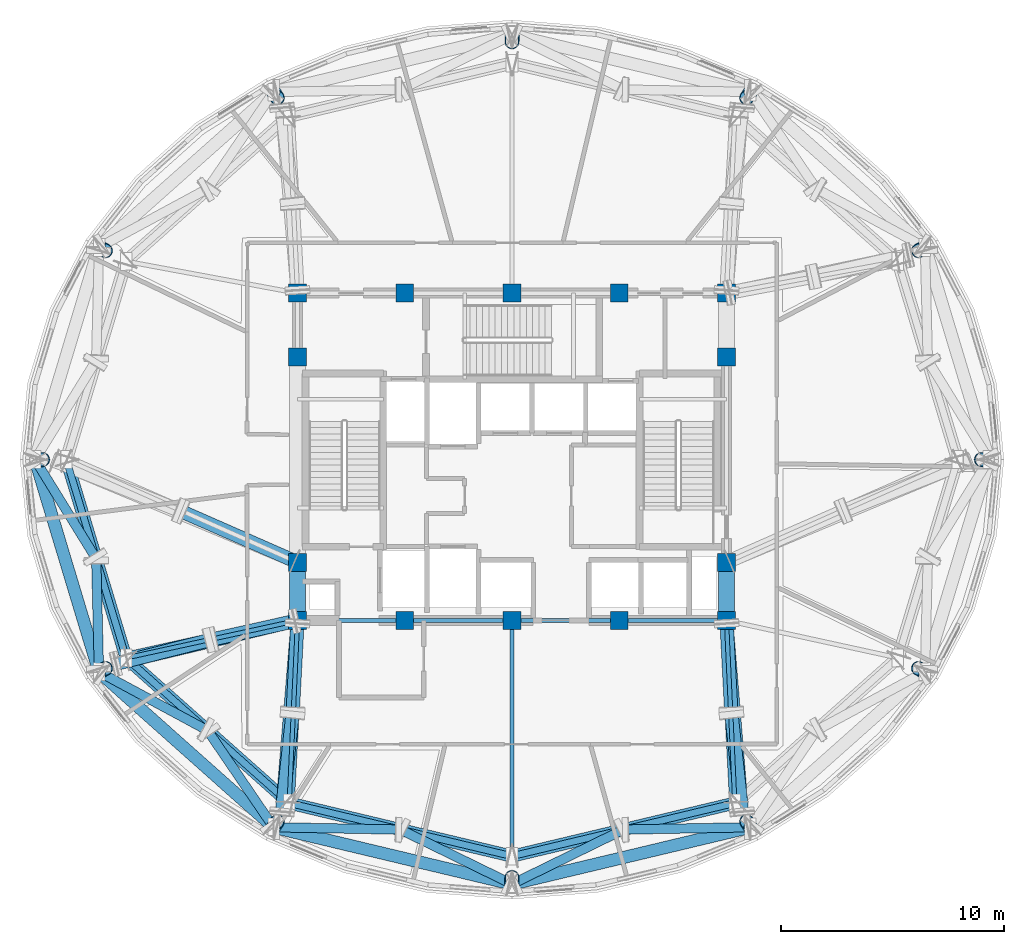
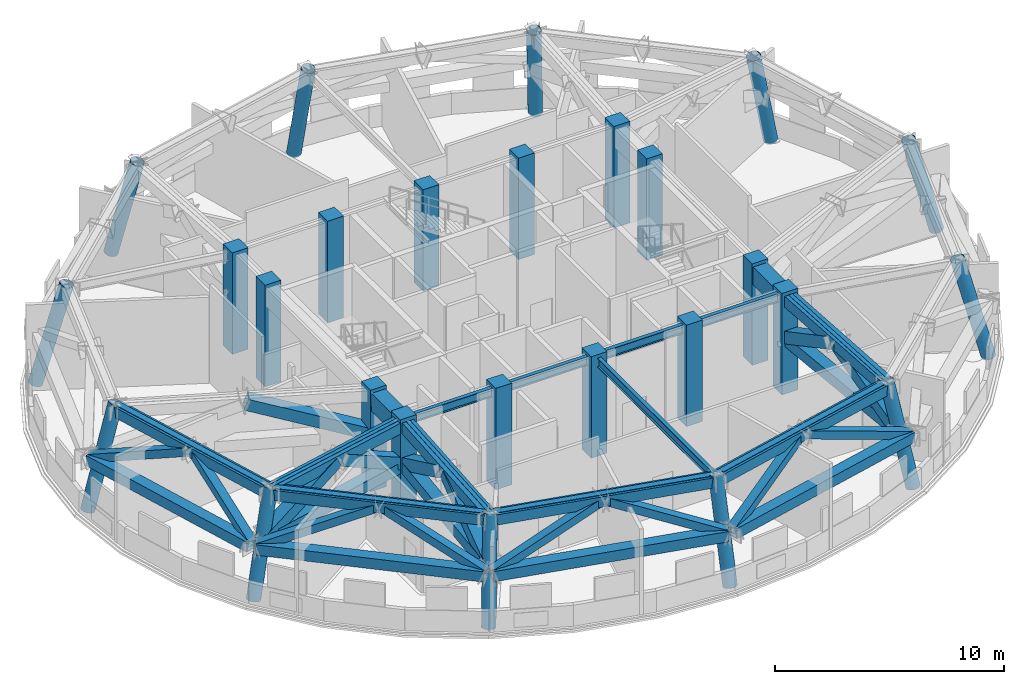
# One storey, part 1 of 13: 29 members, 26 columns, 14 beams.
"""IFC4 building model written with IfcOpenShell, lengths in metres."""

import ifcopenshell
import ifcopenshell.guid

model = None  # the IFC model being written
_history = None  # IfcOwnerHistory: only IFC2X3 demands one
_inside = {}  # id of a spatial element -> (the spatial element, [elements in it])
_under = {}  # id of a project, library or spatial element -> (it, [spatial elements below it])
_declared = {}  # id of a project -> (the project, [libraries it declares])
_typed = {}  # id of a type object -> (the type object, [elements of that type])
_made_of = {}  # id of a material, layer set ... -> (it, [elements and type objects made of it])


def new_model(schema):
    """Start an empty IFC model of exactly this schema.

    Asked for "IFC4X3", IfcOpenShell would pick the latest addendum, in which some entities
    have other attributes; the version numbers below select the first issue.
    IFC2X3 requires an IfcOwnerHistory on every rooted entity: one is made here for all.
    """
    global model, _history
    if schema == "IFC4X3":
        model = ifcopenshell.file(schema_version=(4, 3, 0, 0))
    else:
        model = ifcopenshell.file(schema=schema)
    _inside.clear()
    _under.clear()
    _declared.clear()
    _typed.clear()
    _made_of.clear()
    _history = None
    if model.schema == "IFC2X3":
        org = make("IfcOrganization", Name="unknown")
        user = make(
            "IfcPersonAndOrganization",
            ThePerson=make("IfcPerson", FamilyName="unknown"),
            TheOrganization=org,
        )
        app = make(
            "IfcApplication",
            ApplicationDeveloper=org,
            Version="unknown",
            ApplicationFullName="unknown",
            ApplicationIdentifier="unknown",
        )
        _history = make(
            "IfcOwnerHistory",
            OwningUser=user,
            OwningApplication=app,
            ChangeAction="ADDED",
            CreationDate=0,
        )
    return model


def make(cls, **values):
    """One entity of the class cls with the attributes given. An attribute that is None is left unset."""
    return model.create_entity(
        cls, **{name: value for name, value in values.items() if value is not None}
    )


def rooted(cls, **values):
    """An entity with a GlobalId (a new one), such as an element, a storey or a relation."""
    return make(cls, GlobalId=ifcopenshell.guid.new(), OwnerHistory=_history, **values)


def si_unit(unit_type, name, prefix=None):
    """IfcSIUnit, for example si_unit("LENGTHUNIT", "METRE", prefix="MILLI")."""
    return make("IfcSIUnit", UnitType=unit_type, Prefix=prefix, Name=name)


def assignment(units):
    """IfcUnitAssignment: the units of a project."""
    return None if units is None else make("IfcUnitAssignment", Units=units)


def point(xyz):
    """IfcCartesianPoint."""
    return None if xyz is None else make("IfcCartesianPoint", Coordinates=xyz)


def direction(xyz):
    """IfcDirection."""
    return None if xyz is None else make("IfcDirection", DirectionRatios=xyz)


def frame(location, z_axis=None, x_axis=None):
    """IfcAxis2Placement3D, a coordinate frame: its origin and axes. An axis left out is left unset."""
    return make(
        "IfcAxis2Placement3D",
        Location=point(location),
        Axis=direction(z_axis),
        RefDirection=direction(x_axis),
    )


def frame_2d(location, x_axis=None):
    """IfcAxis2Placement2D, a coordinate frame in the plane: its origin and x axis."""
    return make(
        "IfcAxis2Placement2D", Location=point(location), RefDirection=direction(x_axis)
    )


def origin():
    """The frame at (0, 0, 0) with its axes left unset."""
    return frame((0.0, 0.0, 0.0))


def origin_2d():
    """The frame at (0, 0) in the plane with its x axis left unset."""
    return frame_2d((0.0, 0.0))


def place(relative_to, where):
    """IfcLocalPlacement: puts the frame where relative to a parent placement (None: the world)."""
    return make(
        "IfcLocalPlacement", PlacementRelTo=relative_to, RelativePlacement=where
    )


def context(
    kind, dimensions, precision=None, world=None, true_north=None, identifier=None
):
    """IfcGeometricRepresentationContext, for example the 3D "Model" context."""
    return make(
        "IfcGeometricRepresentationContext",
        ContextIdentifier=identifier,
        ContextType=kind,
        CoordinateSpaceDimension=dimensions,
        Precision=precision,
        WorldCoordinateSystem=world,
        TrueNorth=true_north,
    )


def subcontext(parent, identifier, kind, view, scale=None):
    """IfcGeometricRepresentationSubContext, for example "Body" below "Model"."""
    return make(
        "IfcGeometricRepresentationSubContext",
        ContextIdentifier=identifier,
        ContextType=kind,
        ParentContext=parent,
        TargetScale=scale,
        TargetView=view,
    )


def project(units=None, contexts=None):
    """IfcProject with its units and contexts."""
    return rooted(
        "IfcProject",
        Name="project",
        RepresentationContexts=contexts,
        UnitsInContext=assignment(units),
    )


def spatial(cls, under=None, at=None, **own):
    """A site, building, storey or space (cls), placed at a placement, below another one or the project."""
    s = rooted(cls, ObjectPlacement=at, **own)
    if under is not None:
        _under.setdefault(under.id(), (under, []))[1].append(s)
    return s


def profile(cls, at=None, kind="AREA", **sizes):
    """A parametric profile (cls). Its sizes go by their IFC names, for example OverallWidth=200.0."""
    return make(cls, ProfileType=kind, Position=at, **sizes)


def rectangle(**sizes):
    """IfcRectangleProfileDef."""
    return profile("IfcRectangleProfileDef", **sizes)


def hollow_rectangle(**sizes):
    """IfcRectangleHollowProfileDef."""
    return profile("IfcRectangleHollowProfileDef", **sizes)


def hollow_circle(**sizes):
    """IfcCircleHollowProfileDef."""
    return profile("IfcCircleHollowProfileDef", **sizes)


def i_section(**sizes):
    """IfcIShapeProfileDef."""
    return profile("IfcIShapeProfileDef", **sizes)


def extrude(swept, where, along, depth):
    """IfcExtrudedAreaSolid: the profile swept, set in the frame where, extruded along a direction by depth."""
    return make(
        "IfcExtrudedAreaSolid",
        SweptArea=swept,
        Position=where,
        ExtrudedDirection=direction(along),
        Depth=depth,
    )


def shape(context_of_items, identifier, shape_type, items):
    """IfcShapeRepresentation: the items that make up one representation, for example the "Body"."""
    return make(
        "IfcShapeRepresentation",
        ContextOfItems=context_of_items,
        RepresentationIdentifier=identifier,
        RepresentationType=shape_type,
        Items=items,
    )


def material(Name=None, Category=None):
    """IfcMaterial."""
    return make("IfcMaterial", Name=Name, Category=Category)


def material_profile(
    of_material, cross_section, Name=None, Category=None, Priority=None
):
    """IfcMaterialProfile: a cross section and its material."""
    return make(
        "IfcMaterialProfile",
        Name=Name,
        Material=of_material,
        Profile=cross_section,
        Priority=Priority,
        Category=Category,
    )


def profile_set(profiles, Name=None, composite=None):
    """IfcMaterialProfileSet."""
    return make(
        "IfcMaterialProfileSet",
        Name=Name,
        MaterialProfiles=profiles,
        CompositeProfile=composite,
    )


def made_of(thing, what):
    """Note that an element or type object is made of a material, layer set ...; save() writes the relation."""
    if what is not None:
        _made_of.setdefault(what.id(), (what, []))[1].append(thing)
    return thing


def type_object(cls, material=None, **own):
    """A type object (cls), such as IfcWallType, which elements share."""
    return made_of(rooted(cls, **own), material)


def element(
    cls,
    number,
    at=None,
    inside=None,
    cuts=None,
    type_object=None,
    material=None,
    context=None,
    identifier="Body",
    shape_type=None,
    held_by="IfcProductDefinitionShape",
    body=None,
    shapes=None,
    **own,
):
    """One element of the class cls, such as IfcWall. Its Tag is "e" and its number.

    at: its placement. inside: the storey or other place that contains it. cuts: it is an
    opening in that element (IfcRelVoidsElement). A single representation is given by context,
    identifier, shape_type and body (its items); several are given by shapes. held_by: the class
    of the entity that holds the representations. save() writes the other relations.
    """
    e = rooted(cls, Tag="e%d" % number, ObjectPlacement=at, **own)
    if body is not None:
        shapes = [shape(context, identifier, shape_type, body)]
    if shapes is not None:
        e.Representation = make(held_by, Representations=shapes)
    if inside is not None:
        _inside.setdefault(inside.id(), (inside, []))[1].append(e)
    if cuts is not None:
        rooted(
            "IfcRelVoidsElement", RelatingBuildingElement=cuts, RelatedOpeningElement=e
        )
    if type_object is not None:
        _typed.setdefault(type_object.id(), (type_object, []))[1].append(e)
    return made_of(e, material)


def aggregate(whole, parts):
    """IfcRelAggregates: a whole, such as a stair, and the parts it consists of."""
    return rooted("IfcRelAggregates", RelatingObject=whole, RelatedObjects=parts)


def save(model, path):
    """Write the relations noted so far, then the file.

    IfcRelAggregates (storeys below a building ...), IfcRelContainedInSpatialStructure (elements
    in a storey), IfcRelDefinesByType, IfcRelAssociatesMaterial and IfcRelDeclares: one each for
    every whole, place, type object, material and project.
    """
    for whole, parts in _under.values():
        aggregate(whole, parts)
    for where, things in _inside.values():
        rooted(
            "IfcRelContainedInSpatialStructure",
            RelatedElements=things,
            RelatingStructure=where,
        )
    for kind, things in _typed.values():
        rooted("IfcRelDefinesByType", RelatedObjects=things, RelatingType=kind)
    for what, things in _made_of.values():
        rooted("IfcRelAssociatesMaterial", RelatedObjects=things, RelatingMaterial=what)
    for by, libraries in _declared.values():
        rooted("IfcRelDeclares", RelatingContext=by, RelatedDefinitions=libraries)
    model.write(path)


model = new_model("IFC4")

# Units and contexts
model_context = context("Model", 3, precision=1e-05, world=origin(), true_north=direction((0.0, 1.0)))
body_context = subcontext(model_context, "Body", "Model", "MODEL_VIEW")
ifc_project = project(units=[si_unit("LENGTHUNIT", "METRE"), si_unit("AREAUNIT", "SQUARE_METRE"), si_unit("VOLUMEUNIT", "CUBIC_METRE"), si_unit("PLANEANGLEUNIT", "RADIAN"), si_unit("MASSUNIT", "GRAM", prefix="KILO")], contexts=[model_context])

# Site, building, storey
site_placement = place(None, origin())
site = spatial("IfcSite", under=ifc_project, at=site_placement, CompositionType="ELEMENT")
building_placement = place(site_placement, origin())
building = spatial("IfcBuilding", under=site, at=building_placement, Name="Vantalir Tower", CompositionType="ELEMENT")
storey_placement = place(building_placement, frame((0.0, 0.0, 253.64990234375)))
storey = spatial("IfcBuildingStorey", under=building, at=storey_placement, Name="L64", CompositionType="ELEMENT", Elevation=253.64990234375)

# Columns
ifc_material_1 = material(Name="Concrete C50/60", Category="concrete")
ifc_material_profile_1 = material_profile(ifc_material_1, rectangle(XDim=0.800048828125, YDim=0.800048828125, at=origin_2d()), Name="Concrete C50/60")
ifc_profile_set_1 = profile_set([ifc_material_profile_1], Name="Concrete C50/60")
column_type_1 = type_object("IfcColumnType", Name="COL-CC-800", PredefinedType="COLUMN", material=ifc_profile_set_1)
for number, where, z_axis, x_axis, name in (
    (1, (21.89990234375, 17.800048828125, 0.0), (0.0, 0.0, 1.0), (1.0, 0.0, 0.0), "L64 Core Column CC01"),
    (2, (26.699951171875, 17.800048828125, 0.0), (0.0, 0.0, 1.0), (1.0, 0.0, 0.0), "L64 Core Column CC02"),
    (3, (31.5, 17.800048828125, 0.0), (0.0, 0.0, 1.0), (1.0, 0.0, 0.0), "L64 Core Column CC03"),
    (4, (36.300048828125, 17.800048828125, 0.0), (0.0, 0.0, 1.0), (1.0, 0.0, 0.0), "L64 Core Column CC04"),
    (5, (41.10009765625, 17.800048828125, 0.0), (0.0, 0.0, 1.0), (1.0, 0.0, 0.0), "L64 Core Column CC05"),
    (6, (21.89990234375, 20.39990234375, 0.0), (0.0, 0.0, 1.0), (1.0, 0.0, 0.0), "L64 Core Column CC06"),
    (7, (21.89990234375, 29.60009765625, 0.0), (0.0, 0.0, 1.0), (1.0, 0.0, 0.0), "L64 Core Column CC07"),
    (8, (41.10009765625, 20.39990234375, 0.0), (0.0, 0.0, 1.0), (1.0, 0.0, 0.0), "L64 Core Column CC08"),
    (9, (41.10009765625, 29.60009765625, 0.0), (0.0, 0.0, 1.0), (1.0, 0.0, 0.0), "L64 Core Column CC09"),
    (10, (21.89990234375, 32.449951171875, 0.0), (0.0, 0.0, 1.0), (1.0, 0.0, 0.0), "L64 Core Column CC10"),
    (11, (26.699951171875, 32.449951171875, 0.0), (0.0, 0.0, 1.0), (1.0, 0.0, 0.0), "L64 Core Column CC11"),
    (12, (31.5, 32.449951171875, 0.0), (0.0, 0.0, 1.0), (1.0, 0.0, 0.0), "L64 Core Column CC12"),
    (13, (36.300048828125, 32.449951171875, 0.0), (0.0, 0.0, 1.0), (1.0, 0.0, 0.0), "L64 Core Column CC13"),
    (14, (41.10009765625, 32.449951171875, 0.0), (0.0, 0.0, 1.0), (1.0, 0.0, 0.0), "L64 Core Column CC14"),
):
    element("IfcColumn", number, at=place(storey_placement, frame(where, z_axis=z_axis, x_axis=x_axis)), inside=storey, type_object=column_type_1, Name=name, PredefinedType="COLUMN", context=body_context, shape_type="SweptSolid", body=[
        extrude(rectangle(XDim=0.800048828125, YDim=0.800048828125, at=origin_2d()), origin(), (0.0, 0.0, 1.0), 5.400146484375),
    ])
ifc_material_2 = material(Name="Steel S460", Category="steel")
ifc_material_profile_2 = material_profile(ifc_material_2, hollow_circle(Radius=0.324951171875, WallThickness=0.030029296875, at=origin_2d()), Name="Steel S460")
ifc_profile_set_2 = profile_set([ifc_material_profile_2], Name="Steel S460")
column_type_2 = type_object("IfcColumnType", Name="COL-RC-650", PredefinedType="COLUMN", material=ifc_profile_set_2)
column_1_placement = place(storey_placement, frame((52.85009765625, 25.0, 0.0), z_axis=(-0.259059704906, 0.0, 0.965861309554), x_axis=(0.0, -1.0, 0.0)))
element("IfcColumn", 15, at=column_1_placement, inside=storey, type_object=column_type_2, Name="L64 Perimeter Ring Column RC01", PredefinedType="COLUMN", context=body_context, shape_type="SweptSolid", body=[
    extrude(hollow_circle(Radius=0.324951171875, WallThickness=0.030029296875, at=origin_2d()), origin(), (0.0, 0.0, 1.0), 5.40478515625),
])
column_2_placement = place(storey_placement, frame((49.989990234375, 34.501953125, 0.0), z_axis=(-0.224793032222, -0.115835378923, 0.967496903175), x_axis=(0.458059425605, -0.888921572814, 0.0)))
element("IfcColumn", 16, at=column_2_placement, inside=storey, type_object=column_type_2, Name="L64 Perimeter Ring Column RC02", PredefinedType="COLUMN", context=body_context, shape_type="SweptSolid", body=[
    extrude(hollow_circle(Radius=0.324951171875, WallThickness=0.030029296875, at=origin_2d()), origin(), (0.0, 0.0, 1.0), 5.3955078125),
])
column_3_placement = place(storey_placement, frame((42.175048828125, 41.4580078125, 0.0), z_axis=(-0.130171994019, -0.201410172818, 0.970818826691), x_axis=(0.839859571413, -0.542803740136, 0.0)))
element("IfcColumn", 17, at=column_3_placement, inside=storey, type_object=column_type_2, Name="L64 Perimeter Ring Column RC03", PredefinedType="COLUMN", context=body_context, shape_type="SweptSolid", body=[
    extrude(hollow_circle(Radius=0.324951171875, WallThickness=0.030029296875, at=origin_2d()), origin(), (0.0, 0.0, 1.0), 5.377197265625),
])
column_4_placement = place(storey_placement, frame((31.5, 44.00390625, 0.0), z_axis=(0.0, -0.232870617918, 0.972507725065), x_axis=(1.0, 0.0, 0.0)))
element("IfcColumn", 18, at=column_4_placement, inside=storey, type_object=column_type_2, Name="L64 Perimeter Ring Column RC04", PredefinedType="COLUMN", context=body_context, shape_type="SweptSolid", body=[
    extrude(hollow_circle(Radius=0.324951171875, WallThickness=0.030029296875, at=origin_2d()), origin(), (0.0, 0.0, 1.0), 5.36767578125),
])
column_5_placement = place(storey_placement, frame((20.824951171875, 41.4580078125, 0.0), z_axis=(0.130171994019, -0.201410172818, 0.970818826691), x_axis=(0.839859571413, 0.542803740136, 0.0)))
element("IfcColumn", 19, at=column_5_placement, inside=storey, type_object=column_type_2, Name="L64 Perimeter Ring Column RC05", PredefinedType="COLUMN", context=body_context, shape_type="SweptSolid", body=[
    extrude(hollow_circle(Radius=0.324951171875, WallThickness=0.030029296875, at=origin_2d()), origin(), (0.0, 0.0, 1.0), 5.377197265625),
])
column_6_placement = place(storey_placement, frame((13.010009765625, 34.501953125, 0.0), z_axis=(0.224793032222, -0.115835378923, 0.967496903175), x_axis=(0.458059425605, 0.888921572814, 0.0)))
element("IfcColumn", 20, at=column_6_placement, inside=storey, type_object=column_type_2, Name="L64 Perimeter Ring Column RC06", PredefinedType="COLUMN", context=body_context, shape_type="SweptSolid", body=[
    extrude(hollow_circle(Radius=0.324951171875, WallThickness=0.030029296875, at=origin_2d()), origin(), (0.0, 0.0, 1.0), 5.3955078125),
])
column_7_placement = place(storey_placement, frame((10.14990234375, 25.0, 0.0), z_axis=(0.259059704906, 0.0, 0.965861309554), x_axis=(0.0, 1.0, 0.0)))
element("IfcColumn", 21, at=column_7_placement, inside=storey, type_object=column_type_2, Name="L64 Perimeter Ring Column RC07", PredefinedType="COLUMN", context=body_context, shape_type="SweptSolid", body=[
    extrude(hollow_circle(Radius=0.324951171875, WallThickness=0.030029296875, at=origin_2d()), origin(), (0.0, 0.0, 1.0), 5.40478515625),
])
column_8_placement = place(storey_placement, frame((13.010009765625, 15.498046875, 0.0), z_axis=(0.224793032222, 0.115835378923, 0.967496903175), x_axis=(-0.458059425605, 0.888921572814, 0.0)))
element("IfcColumn", 22, at=column_8_placement, inside=storey, type_object=column_type_2, Name="L64 Perimeter Ring Column RC08", PredefinedType="COLUMN", context=body_context, shape_type="SweptSolid", body=[
    extrude(hollow_circle(Radius=0.324951171875, WallThickness=0.030029296875, at=origin_2d()), origin(), (0.0, 0.0, 1.0), 5.3955078125),
])
column_9_placement = place(storey_placement, frame((20.824951171875, 8.5419921875, 0.0), z_axis=(0.130171994019, 0.201410172818, 0.970818826691), x_axis=(-0.839859571413, 0.542803740136, 0.0)))
element("IfcColumn", 23, at=column_9_placement, inside=storey, type_object=column_type_2, Name="L64 Perimeter Ring Column RC09", PredefinedType="COLUMN", context=body_context, shape_type="SweptSolid", body=[
    extrude(hollow_circle(Radius=0.324951171875, WallThickness=0.030029296875, at=origin_2d()), origin(), (0.0, 0.0, 1.0), 5.377197265625),
])
column_10_placement = place(storey_placement, frame((31.5, 5.99609375, 0.0), z_axis=(0.0, 0.232870617918, 0.972507725065), x_axis=(-1.0, 0.0, 0.0)))
element("IfcColumn", 24, at=column_10_placement, inside=storey, type_object=column_type_2, Name="L64 Perimeter Ring Column RC10", PredefinedType="COLUMN", context=body_context, shape_type="SweptSolid", body=[
    extrude(hollow_circle(Radius=0.324951171875, WallThickness=0.030029296875, at=origin_2d()), origin(), (0.0, 0.0, 1.0), 5.36767578125),
])
column_11_placement = place(storey_placement, frame((42.175048828125, 8.5419921875, 0.0), z_axis=(-0.130171994019, 0.201410172818, 0.970818826691), x_axis=(-0.839859571413, -0.542803740136, 0.0)))
element("IfcColumn", 25, at=column_11_placement, inside=storey, type_object=column_type_2, Name="L64 Perimeter Ring Column RC11", PredefinedType="COLUMN", context=body_context, shape_type="SweptSolid", body=[
    extrude(hollow_circle(Radius=0.324951171875, WallThickness=0.030029296875, at=origin_2d()), origin(), (0.0, 0.0, 1.0), 5.377197265625),
])
column_12_placement = place(storey_placement, frame((49.989990234375, 15.498046875, 0.0), z_axis=(-0.224793032222, 0.115835378923, 0.967496903175), x_axis=(-0.458059425605, -0.888921572814, 0.0)))
element("IfcColumn", 26, at=column_12_placement, inside=storey, type_object=column_type_2, Name="L64 Perimeter Ring Column RC12", PredefinedType="COLUMN", context=body_context, shape_type="SweptSolid", body=[
    extrude(hollow_circle(Radius=0.324951171875, WallThickness=0.030029296875, at=origin_2d()), origin(), (0.0, 0.0, 1.0), 5.3955078125),
])

# Beams
ifc_material_3 = material(Name="Concrete C60/75", Category="concrete")
ifc_material_profile_3 = material_profile(ifc_material_3, rectangle(XDim=0.699951171875, YDim=0.949951171875, at=origin_2d()), Name="Concrete C60/75")
ifc_profile_set_3 = profile_set([ifc_material_profile_3], Name="Concrete C60/75")
beam_type_1 = type_object("IfcBeamType", Name="BM-CB-700x950", PredefinedType="USERDEFINED", material=ifc_profile_set_3)
for number, where, z_axis, x_axis, name in (
    (27, (41.10009765625, 17.800048828125, 4.7451171875), (0.0, 1.0, 0.0), (-1.0, 0.0, 0.0), "L64 Core Coupling Girder 05"),
    (28, (21.89990234375, 20.39990234375, 4.7451171875), (0.0, -1.0, 0.0), (1.0, 0.0, 0.0), "L64 Core Coupling Girder 14"),
):
    element("IfcBeam", number, at=place(storey_placement, frame(where, z_axis=z_axis, x_axis=x_axis)), inside=storey, type_object=beam_type_1, Name=name, ObjectType="GIRDER", PredefinedType="USERDEFINED", context=body_context, shape_type="SweptSolid", body=[
        extrude(rectangle(XDim=0.699951171875, YDim=0.949951171875, at=origin_2d()), origin(), (0.0, 0.0, 1.0), 2.599853515625),
    ])
ifc_material_4 = material(Name="Steel S355", Category="steel")
ifc_material_profile_4 = material_profile(ifc_material_4, i_section(OverallWidth=0.19189453125, OverallDepth=0.462890625, WebThickness=0.010498046875, FlangeThickness=0.017578125, at=origin_2d()), Name="Steel S355")
ifc_profile_set_4 = profile_set([ifc_material_profile_4], Name="Steel S355")
beam_type_2 = type_object("IfcBeamType", Name="BM-RB-457x191", PredefinedType="BEAM", material=ifc_profile_set_4)
for number, where, z_axis, x_axis, name in (
    (29, (21.89990234375, 17.800048828125, 4.989013671875), (1.0, 0.0, 0.0), (0.0, 1.0, 0.0), "L64 Core Coupling Girder 01"),
    (30, (26.699951171875, 17.800048828125, 4.989013671875), (1.0, 0.0, 0.0), (0.0, 1.0, 0.0), "L64 Core Coupling Girder 02"),
    (31, (31.5, 17.800048828125, 4.989013671875), (1.0, 0.0, 0.0), (0.0, 1.0, 0.0), "L64 Core Coupling Girder 03"),
    (32, (36.300048828125, 17.800048828125, 4.989013671875), (1.0, 0.0, 0.0), (0.0, 1.0, 0.0), "L64 Core Coupling Girder 04"),
):
    element("IfcBeam", number, at=place(storey_placement, frame(where, z_axis=z_axis, x_axis=x_axis)), inside=storey, type_object=beam_type_2, Name=name, PredefinedType="BEAM", context=body_context, shape_type="SweptSolid", body=[
        extrude(i_section(OverallWidth=0.19189453125, OverallDepth=0.462890625, WebThickness=0.010498046875, FlangeThickness=0.017578125, at=origin_2d()), origin(), (0.0, 0.0, 1.0), 4.800048828125),
    ])
beam_1_placement = place(storey_placement, frame((14.222900390625, 16.123046875, 4.989013671875), z_axis=(0.976962200688, 0.213412413946, 0.0), x_axis=(-0.213412413946, 0.976962200688, 0.0)))
element("IfcBeam", 33, at=beam_1_placement, inside=storey, type_object=beam_type_2, Name="L64 Radial Floor Beam 08", PredefinedType="BEAM", context=body_context, shape_type="SweptSolid", body=[
    extrude(i_section(OverallWidth=0.19189453125, OverallDepth=0.462890625, WebThickness=0.010498046875, FlangeThickness=0.017578125, at=origin_2d()), origin(), (0.0, 0.0, 1.0), 7.858154296875),
])
beam_2_placement = place(storey_placement, frame((21.52490234375, 9.625, 4.989013671875), z_axis=(0.045823101076, 0.998949570002, 0.0), x_axis=(-0.998949570002, 0.045823101076, 0.0)))
element("IfcBeam", 34, at=beam_2_placement, inside=storey, type_object=beam_type_2, Name="L64 Radial Floor Beam 09", PredefinedType="BEAM", context=body_context, shape_type="SweptSolid", body=[
    extrude(i_section(OverallWidth=0.19189453125, OverallDepth=0.462890625, WebThickness=0.010498046875, FlangeThickness=0.017578125, at=origin_2d()), origin(), (0.0, 0.0, 1.0), 8.18359375),
])
beam_3_placement = place(storey_placement, frame((31.5, 7.24609375, 4.989013671875), z_axis=(0.0, 1.0, 0.0), x_axis=(-1.0, 0.0, 0.0)))
element("IfcBeam", 35, at=beam_3_placement, inside=storey, type_object=beam_type_2, Name="L64 Radial Floor Beam 10", PredefinedType="BEAM", context=body_context, shape_type="SweptSolid", body=[
    extrude(i_section(OverallWidth=0.19189453125, OverallDepth=0.462890625, WebThickness=0.010498046875, FlangeThickness=0.017578125, at=origin_2d()), origin(), (0.0, 0.0, 1.0), 10.553955078125),
])
beam_4_placement = place(storey_placement, frame((41.47509765625, 9.625, 4.989013671875), z_axis=(-0.045823101076, 0.998949570002, 0.0), x_axis=(-0.998949570002, -0.045823101076, 0.0)))
element("IfcBeam", 36, at=beam_4_placement, inside=storey, type_object=beam_type_2, Name="L64 Radial Floor Beam 11", PredefinedType="BEAM", context=body_context, shape_type="SweptSolid", body=[
    extrude(i_section(OverallWidth=0.19189453125, OverallDepth=0.462890625, WebThickness=0.010498046875, FlangeThickness=0.017578125, at=origin_2d()), origin(), (0.0, 0.0, 1.0), 8.18359375),
])
ifc_material_profile_5 = material_profile(ifc_material_2, i_section(OverallWidth=0.306884765625, OverallDepth=0.6201171875, WebThickness=0.01416015625, FlangeThickness=0.023681640625, at=origin_2d()), Name="Steel S460")
ifc_profile_set_5 = profile_set([ifc_material_profile_5], Name="Steel S460")
beam_type_3 = type_object("IfcBeamType", Name="BM-RG-610x305", PredefinedType="USERDEFINED", material=ifc_profile_set_5)
beam_5_placement = place(storey_placement, frame((11.550048828125, 25.0, 4.91015625), z_axis=(0.288314156551, -0.957535872504, 0.0), x_axis=(0.957535872504, 0.288314156551, 0.0)))
element("IfcBeam", 37, at=beam_5_placement, inside=storey, type_object=beam_type_3, Name="L64 Circumferential Ring Girder 07", ObjectType="GIRDER", PredefinedType="USERDEFINED", context=body_context, shape_type="SweptSolid", body=[
    extrude(i_section(OverallWidth=0.306884765625, OverallDepth=0.6201171875, WebThickness=0.01416015625, FlangeThickness=0.023681640625, at=origin_2d()), origin(), (0.0, 0.0, 1.0), 9.2705078125),
])
beam_6_placement = place(storey_placement, frame((14.222900390625, 16.123046875, 4.91015625), z_axis=(0.74703437384, -0.664785412221, 0.0), x_axis=(0.664785412221, 0.74703437384, 0.0)))
element("IfcBeam", 38, at=beam_6_placement, inside=storey, type_object=beam_type_3, Name="L64 Circumferential Ring Girder 08", ObjectType="GIRDER", PredefinedType="USERDEFINED", context=body_context, shape_type="SweptSolid", body=[
    extrude(i_section(OverallWidth=0.306884765625, OverallDepth=0.6201171875, WebThickness=0.01416015625, FlangeThickness=0.023681640625, at=origin_2d()), origin(), (0.0, 0.0, 1.0), 9.774658203125),
])
for number, where, z_axis, x_axis, name in (
    (39, (21.52490234375, 9.625, 4.91015625), (0.972720830492, -0.231978848018, 0.0), (0.231978848018, 0.972720830492, 0.0), "L64 Circumferential Ring Girder 09"),
    (40, (31.5, 7.24609375, 4.91015625), (0.972720830492, 0.231978848018, 0.0), (-0.231978848018, 0.972720830492, 0.0), "L64 Circumferential Ring Girder 10"),
):
    element("IfcBeam", number, at=place(storey_placement, frame(where, z_axis=z_axis, x_axis=x_axis)), inside=storey, type_object=beam_type_3, Name=name, ObjectType="GIRDER", PredefinedType="USERDEFINED", context=body_context, shape_type="SweptSolid", body=[
        extrude(i_section(OverallWidth=0.306884765625, OverallDepth=0.6201171875, WebThickness=0.01416015625, FlangeThickness=0.023681640625, at=origin_2d()), origin(), (0.0, 0.0, 1.0), 10.2548828125),
    ])

# Members
ifc_material_profile_6 = material_profile(ifc_material_2, hollow_rectangle(XDim=0.419921875, YDim=0.419921875, WallThickness=0.030029296875, at=origin_2d()), Name="Steel S460")
ifc_profile_set_6 = profile_set([ifc_material_profile_6], Name="Steel S460")
member_type_1 = type_object("IfcMemberType", Name="MEM-BT-420x30", PredefinedType="BRACE", material=ifc_profile_set_6)
member_1_placement = place(storey_placement, frame((10.222900390625, 24.882080078125, 2.8759765625), z_axis=(0.486748828117, -0.789655315343, 0.373523842983), x_axis=(0.851269725097, 0.524728363188, 0.0)))
element("IfcMember", 41, at=member_1_placement, inside=storey, type_object=member_type_1, Name="L64 Belt Truss Web Diagonal 07A", PredefinedType="BRACE", context=body_context, shape_type="SweptSolid", body=[
    extrude(hollow_rectangle(XDim=0.419921875, YDim=0.419921875, WallThickness=0.030029296875, at=origin_2d()), origin(), (0.0, 0.0, 1.0), 5.351806640625),
])
member_2_placement = place(storey_placement, frame((13.007080078125, 15.636962890625, 2.877197265625), z_axis=(-0.022667120957, 0.923451014536, 0.383046244441), x_axis=(-0.999698880551, -0.024538708702, 0.0)))
element("IfcMember", 42, at=member_2_placement, inside=storey, type_object=member_type_1, Name="L64 Belt Truss Web Diagonal 07B", PredefinedType="BRACE", context=body_context, shape_type="SweptSolid", body=[
    extrude(hollow_rectangle(XDim=0.419921875, YDim=0.419921875, WallThickness=0.030029296875, at=origin_2d()), origin(), (0.0, 0.0, 1.0), 5.213134765625),
])
member_3_placement = place(storey_placement, frame((13.133056640625, 15.430908203125, 2.873046875), z_axis=(0.82272106923, -0.443792525431, 0.355215760654), x_axis=(0.474753915067, 0.880118582992, 0.0)))
element("IfcMember", 43, at=member_3_placement, inside=storey, type_object=member_type_1, Name="L64 Belt Truss Web Diagonal 08A", PredefinedType="BRACE", context=body_context, shape_type="SweptSolid", body=[
    extrude(hollow_rectangle(XDim=0.419921875, YDim=0.419921875, WallThickness=0.030029296875, at=origin_2d()), origin(), (0.0, 0.0, 1.0), 5.64208984375),
])
member_4_placement = place(storey_placement, frame((20.7470703125, 8.656982421875, 2.8759765625), z_axis=(-0.522643114699, 0.767209215114, 0.37179859454), x_axis=(-0.826454943854, -0.563002864806, 0.0)))
element("IfcMember", 44, at=member_4_placement, inside=storey, type_object=member_type_1, Name="L64 Belt Truss Web Diagonal 08B", PredefinedType="BRACE", context=body_context, shape_type="SweptSolid", body=[
    extrude(hollow_rectangle(XDim=0.419921875, YDim=0.419921875, WallThickness=0.030029296875, at=origin_2d()), origin(), (0.0, 0.0, 1.0), 5.376708984375),
])
member_5_placement = place(storey_placement, frame((20.966064453125, 8.5390625, 2.8720703125), z_axis=(0.937966957145, -0.017447019826, 0.346285415234), x_axis=(0.018597672553, 0.999827048332, 0.0)))
element("IfcMember", 45, at=member_5_placement, inside=storey, type_object=member_type_1, Name="L64 Belt Truss Web Diagonal 09A", PredefinedType="BRACE", context=body_context, shape_type="SweptSolid", body=[
    extrude(hollow_rectangle(XDim=0.419921875, YDim=0.419921875, WallThickness=0.030029296875, at=origin_2d()), origin(), (0.0, 0.0, 1.0), 5.793212890625),
])
for number, where, z_axis, x_axis, name in (
    (46, (31.3740234375, 6.05810546875, 2.873046875), (-0.840233678972, 0.410831656274, 0.353871042788), (-0.439253922262, -0.898362951027, 0.0), "L64 Belt Truss Web Diagonal 09B"),
    (47, (31.6259765625, 6.05810546875, 2.873046875), (0.840233678972, 0.410831656274, 0.353871042788), (-0.439253922262, 0.898362951027, 0.0), "L64 Belt Truss Web Diagonal 10A"),
):
    element("IfcMember", number, at=place(storey_placement, frame(where, z_axis=z_axis, x_axis=x_axis)), inside=storey, type_object=member_type_1, Name=name, PredefinedType="BRACE", context=body_context, shape_type="SweptSolid", body=[
        extrude(hollow_rectangle(XDim=0.419921875, YDim=0.419921875, WallThickness=0.030029296875, at=origin_2d()), origin(), (0.0, 0.0, 1.0), 5.666259765625),
    ])
member_6_placement = place(storey_placement, frame((42.033935546875, 8.5390625, 2.8720703125), z_axis=(-0.937966957145, -0.017447019826, 0.346285415234), x_axis=(0.018597672553, -0.999827048332, 0.0)))
element("IfcMember", 48, at=member_6_placement, inside=storey, type_object=member_type_1, Name="L64 Belt Truss Web Diagonal 10B", PredefinedType="BRACE", context=body_context, shape_type="SweptSolid", body=[
    extrude(hollow_rectangle(XDim=0.419921875, YDim=0.419921875, WallThickness=0.030029296875, at=origin_2d()), origin(), (0.0, 0.0, 1.0), 5.793212890625),
])
ifc_material_profile_7 = material_profile(ifc_material_2, hollow_rectangle(XDim=0.550048828125, YDim=0.550048828125, WallThickness=0.035888671875, at=origin_2d()), Name="Steel S460")
ifc_profile_set_7 = profile_set([ifc_material_profile_7], Name="Steel S460")
member_type_2 = type_object("IfcMemberType", Name="MEM-CH-550x36", PredefinedType="CHORD", material=ifc_profile_set_7)
member_7_placement = place(storey_placement, frame((10.193115234375, 24.85595703125, 2.820068359375), z_axis=(0.288278839396, -0.957546505793, 0.0), x_axis=(0.957546505793, 0.288278839396, 0.0)))
element("IfcMember", 49, at=member_7_placement, inside=storey, type_object=member_type_2, Name="L64 Belt Truss Bottom Chord 07", PredefinedType="CHORD", context=body_context, shape_type="SweptSolid", body=[
    extrude(hollow_rectangle(XDim=0.550048828125, YDim=0.550048828125, WallThickness=0.035888671875, at=origin_2d()), origin(), (0.0, 0.0, 1.0), 9.622314453125),
])
member_8_placement = place(storey_placement, frame((11.593017578125, 24.85595703125, 4.920166015625), z_axis=(0.288396460411, -0.957511086945, 0.0), x_axis=(0.957511086945, 0.288396460411, 0.0)))
element("IfcMember", 50, at=member_8_placement, inside=storey, type_object=member_type_2, Name="L64 Belt Truss Top Chord 07", PredefinedType="CHORD", context=body_context, shape_type="SweptSolid", body=[
    extrude(hollow_rectangle(XDim=0.550048828125, YDim=0.550048828125, WallThickness=0.035888671875, at=origin_2d()), origin(), (0.0, 0.0, 1.0), 8.969970703125),
])
member_9_placement = place(storey_placement, frame((13.1220703125, 15.39794921875, 2.820068359375), z_axis=(0.746995606785, -0.664828973078, 0.0), x_axis=(0.664828973078, 0.746995606785, 0.0)))
element("IfcMember", 51, at=member_9_placement, inside=storey, type_object=member_type_2, Name="L64 Belt Truss Bottom Chord 08", PredefinedType="CHORD", context=body_context, shape_type="SweptSolid", body=[
    extrude(hollow_rectangle(XDim=0.550048828125, YDim=0.550048828125, WallThickness=0.035888671875, at=origin_2d()), origin(), (0.0, 0.0, 1.0), 10.161865234375),
])
member_10_placement = place(storey_placement, frame((14.3349609375, 16.02294921875, 4.920166015625), z_axis=(0.747085077711, -0.664728430761, 0.0), x_axis=(0.664728430761, 0.747085077711, 0.0)))
element("IfcMember", 52, at=member_10_placement, inside=storey, type_object=member_type_2, Name="L64 Belt Truss Top Chord 08", PredefinedType="CHORD", context=body_context, shape_type="SweptSolid", body=[
    extrude(hollow_rectangle(XDim=0.550048828125, YDim=0.550048828125, WallThickness=0.035888671875, at=origin_2d()), origin(), (0.0, 0.0, 1.0), 9.474365234375),
])
member_11_placement = place(storey_placement, frame((20.970947265625, 8.507080078125, 2.820068359375), z_axis=(0.972723450256, -0.231967862694, 0.0), x_axis=(0.231967862694, 0.972723450256, 0.0)))
element("IfcMember", 53, at=member_11_placement, inside=storey, type_object=member_type_2, Name="L64 Belt Truss Bottom Chord 09", PredefinedType="CHORD", context=body_context, shape_type="SweptSolid", body=[
    extrude(hollow_rectangle(XDim=0.550048828125, YDim=0.550048828125, WallThickness=0.035888671875, at=origin_2d()), origin(), (0.0, 0.0, 1.0), 10.67431640625),
])
member_12_placement = place(storey_placement, frame((21.6708984375, 9.590087890625, 4.920166015625), z_axis=(0.972725105631, -0.231960921009, 0.0), x_axis=(0.231960921009, 0.972725105631, 0.0)))
element("IfcMember", 54, at=member_12_placement, inside=storey, type_object=member_type_2, Name="L64 Belt Truss Top Chord 09", PredefinedType="CHORD", context=body_context, shape_type="SweptSolid", body=[
    extrude(hollow_rectangle(XDim=0.550048828125, YDim=0.550048828125, WallThickness=0.035888671875, at=origin_2d()), origin(), (0.0, 0.0, 1.0), 9.95458984375),
])
member_13_placement = place(storey_placement, frame((31.64599609375, 6.031005859375, 2.820068359375), z_axis=(0.972723450256, 0.231967862694, 0.0), x_axis=(-0.231967862694, 0.972723450256, 0.0)))
element("IfcMember", 55, at=member_13_placement, inside=storey, type_object=member_type_2, Name="L64 Belt Truss Bottom Chord 10", PredefinedType="CHORD", context=body_context, shape_type="SweptSolid", body=[
    extrude(hollow_rectangle(XDim=0.550048828125, YDim=0.550048828125, WallThickness=0.035888671875, at=origin_2d()), origin(), (0.0, 0.0, 1.0), 10.67431640625),
])
member_14_placement = place(storey_placement, frame((31.64599609375, 7.281005859375, 4.920166015625), z_axis=(0.972725105631, 0.231960921009, 0.0), x_axis=(-0.231960921009, 0.972725105631, 0.0)))
element("IfcMember", 56, at=member_14_placement, inside=storey, type_object=member_type_2, Name="L64 Belt Truss Top Chord 10", PredefinedType="CHORD", context=body_context, shape_type="SweptSolid", body=[
    extrude(hollow_rectangle(XDim=0.550048828125, YDim=0.550048828125, WallThickness=0.035888671875, at=origin_2d()), origin(), (0.0, 0.0, 1.0), 9.95458984375),
])
ifc_material_profile_8 = material_profile(ifc_material_2, hollow_rectangle(XDim=0.580078125, YDim=0.580078125, WallThickness=0.0380859375, at=origin_2d()), Name="Steel S460")
ifc_profile_set_8 = profile_set([ifc_material_profile_8], Name="Steel S460")
member_type_3 = type_object("IfcMemberType", Name="MEM-CH-580x38", PredefinedType="CHORD", material=ifc_profile_set_8)
member_15_placement = place(storey_placement, frame((21.75390625, 17.764892578125, 2.820068359375), z_axis=(-0.972541059177, -0.232731364915, 0.0), x_axis=(0.232731364915, -0.972541059177, 0.0)))
element("IfcMember", 57, at=member_15_placement, inside=storey, type_object=member_type_3, Name="L64 Outrigger Truss Bottom Chord 06", PredefinedType="CHORD", context=body_context, shape_type="SweptSolid", body=[
    extrude(hollow_rectangle(XDim=0.580078125, YDim=0.580078125, WallThickness=0.0380859375, at=origin_2d()), origin(), (0.0, 0.0, 1.0), 8.189697265625),
])
member_16_placement = place(storey_placement, frame((21.75390625, 17.76708984375, 4.920166015625), z_axis=(-0.976128645614, -0.217193156459, 0.0), x_axis=(0.217193156459, -0.976128645614, 0.0)))
element("IfcMember", 58, at=member_16_placement, inside=storey, type_object=member_type_3, Name="L64 Outrigger Truss Top Chord 06", PredefinedType="CHORD", context=body_context, shape_type="SweptSolid", body=[
    extrude(hollow_rectangle(XDim=0.580078125, YDim=0.580078125, WallThickness=0.0380859375, at=origin_2d()), origin(), (0.0, 0.0, 1.0), 7.675048828125),
])
member_17_placement = place(storey_placement, frame((21.887939453125, 17.64990234375, 2.820068359375), z_axis=(-0.081353780633, -0.996685287529, 0.0), x_axis=(0.996685287529, -0.081353780633, 0.0)))
element("IfcMember", 59, at=member_17_placement, inside=storey, type_object=member_type_3, Name="L64 Outrigger Truss Bottom Chord 07", PredefinedType="CHORD", context=body_context, shape_type="SweptSolid", body=[
    extrude(hollow_rectangle(XDim=0.580078125, YDim=0.580078125, WallThickness=0.0380859375, at=origin_2d()), origin(), (0.0, 0.0, 1.0), 8.420654296875),
])
member_18_placement = place(storey_placement, frame((21.89208984375, 17.64990234375, 4.920166015625), z_axis=(-0.052761106187, -0.998607162839, 0.0), x_axis=(0.998607162839, -0.052761106187, 0.0)))
element("IfcMember", 60, at=member_18_placement, inside=storey, type_object=member_type_3, Name="L64 Outrigger Truss Top Chord 07", PredefinedType="CHORD", context=body_context, shape_type="SweptSolid", body=[
    extrude(hollow_rectangle(XDim=0.580078125, YDim=0.580078125, WallThickness=0.0380859375, at=origin_2d()), origin(), (0.0, 0.0, 1.0), 7.982177734375),
])
member_19_placement = place(storey_placement, frame((41.112060546875, 17.64990234375, 2.820068359375), z_axis=(0.081353780633, -0.996685287529, 0.0), x_axis=(0.996685287529, 0.081353780633, 0.0)))
element("IfcMember", 61, at=member_19_placement, inside=storey, type_object=member_type_3, Name="L64 Outrigger Truss Bottom Chord 08", PredefinedType="CHORD", context=body_context, shape_type="SweptSolid", body=[
    extrude(hollow_rectangle(XDim=0.580078125, YDim=0.580078125, WallThickness=0.0380859375, at=origin_2d()), origin(), (0.0, 0.0, 1.0), 8.420654296875),
])
member_20_placement = place(storey_placement, frame((41.10791015625, 17.64990234375, 4.920166015625), z_axis=(0.052761106187, -0.998607162839, 0.0), x_axis=(0.998607162839, 0.052761106187, 0.0)))
element("IfcMember", 62, at=member_20_placement, inside=storey, type_object=member_type_3, Name="L64 Outrigger Truss Top Chord 08", PredefinedType="CHORD", context=body_context, shape_type="SweptSolid", body=[
    extrude(hollow_rectangle(XDim=0.580078125, YDim=0.580078125, WallThickness=0.0380859375, at=origin_2d()), origin(), (0.0, 0.0, 1.0), 7.982177734375),
])
ifc_material_profile_9 = material_profile(ifc_material_2, hollow_rectangle(XDim=0.60009765625, YDim=0.60009765625, WallThickness=0.0400390625, at=origin_2d()), Name="Steel S460")
ifc_profile_set_9 = profile_set([ifc_material_profile_9], Name="Steel S460")
member_type_4 = type_object("IfcMemberType", Name="MEM-OR-600x40", PredefinedType="BRACE", material=ifc_profile_set_9)
member_21_placement = place(storey_placement, frame((21.77099609375, 20.45703125, 2.8720703125), z_axis=(-0.859488658229, 0.377462262928, 0.344675915088), x_axis=(-0.402102396315, -0.915594704483, 0.0)))
element("IfcMember", 63, at=member_21_placement, inside=storey, type_object=member_type_4, Name="L64 Outrigger Truss Diagonal 05A", PredefinedType="BRACE", context=body_context, shape_type="SweptSolid", body=[
    extrude(hollow_rectangle(XDim=0.60009765625, YDim=0.60009765625, WallThickness=0.0400390625, at=origin_2d()), origin(), (0.0, 0.0, 1.0), 5.822998046875),
])
member_22_placement = place(storey_placement, frame((21.77001953125, 17.77099609375, 2.89013671875), z_axis=(-0.863702971847, -0.192138900923, 0.465939716246), x_axis=(0.217151135882, -0.976137994438, 0.0)))
element("IfcMember", 64, at=member_22_placement, inside=storey, type_object=member_type_4, Name="L64 Outrigger Truss Diagonal 06A", PredefinedType="BRACE", context=body_context, shape_type="SweptSolid", body=[
    extrude(hollow_rectangle(XDim=0.60009765625, YDim=0.60009765625, WallThickness=0.0400390625, at=origin_2d()), origin(), (0.0, 0.0, 1.0), 4.236328125),
])
member_23_placement = place(storey_placement, frame((17.902099609375, 16.906982421875, 4.869140625), z_axis=(-0.878348989725, -0.223263271745, -0.422677848649), x_axis=(0.246351317513, -0.969180596359, 0.0)))
element("IfcMember", 65, at=member_23_placement, inside=storey, type_object=member_type_4, Name="L64 Outrigger Truss Diagonal 06B", PredefinedType="BRACE", context=body_context, shape_type="SweptSolid", body=[
    extrude(hollow_rectangle(XDim=0.60009765625, YDim=0.60009765625, WallThickness=0.0400390625, at=origin_2d()), origin(), (0.0, 0.0, 1.0), 4.69873046875),
])
member_24_placement = place(storey_placement, frame((21.89306640625, 17.666015625, 2.88818359375), z_axis=(-0.047115937389, -0.890625195625, 0.452290669108), x_axis=(0.998603614544, -0.052828221805, 0.0)))
element("IfcMember", 66, at=member_24_placement, inside=storey, type_object=member_type_4, Name="L64 Outrigger Truss Diagonal 07A", PredefinedType="BRACE", context=body_context, shape_type="SweptSolid", body=[
    extrude(hollow_rectangle(XDim=0.60009765625, YDim=0.60009765625, WallThickness=0.0400390625, at=origin_2d()), origin(), (0.0, 0.0, 1.0), 4.373291015625),
])
member_25_placement = place(storey_placement, frame((21.669921875, 13.555908203125, 4.8701171875), z_axis=(-0.09741440896, -0.903846086496, -0.416620552606), x_axis=(0.994242103479, -0.107157079419, 0.0)))
element("IfcMember", 67, at=member_25_placement, inside=storey, type_object=member_type_4, Name="L64 Outrigger Truss Diagonal 07B", PredefinedType="BRACE", context=body_context, shape_type="SweptSolid", body=[
    extrude(hollow_rectangle(XDim=0.60009765625, YDim=0.60009765625, WallThickness=0.0400390625, at=origin_2d()), origin(), (0.0, 0.0, 1.0), 4.771728515625),
])
member_26_placement = place(storey_placement, frame((41.10693359375, 17.666015625, 2.88818359375), z_axis=(0.047115937389, -0.890625195625, 0.452290669108), x_axis=(0.998603614544, 0.052828221805, 0.0)))
element("IfcMember", 68, at=member_26_placement, inside=storey, type_object=member_type_4, Name="L64 Outrigger Truss Diagonal 08A", PredefinedType="BRACE", context=body_context, shape_type="SweptSolid", body=[
    extrude(hollow_rectangle(XDim=0.60009765625, YDim=0.60009765625, WallThickness=0.0400390625, at=origin_2d()), origin(), (0.0, 0.0, 1.0), 4.373291015625),
])
member_27_placement = place(storey_placement, frame((41.330078125, 13.555908203125, 4.8701171875), z_axis=(0.09741440896, -0.903846086496, -0.416620552606), x_axis=(0.994242103479, 0.107157079419, 0.0)))
element("IfcMember", 69, at=member_27_placement, inside=storey, type_object=member_type_4, Name="L64 Outrigger Truss Diagonal 08B", PredefinedType="BRACE", context=body_context, shape_type="SweptSolid", body=[
    extrude(hollow_rectangle(XDim=0.60009765625, YDim=0.60009765625, WallThickness=0.0400390625, at=origin_2d()), origin(), (0.0, 0.0, 1.0), 4.771728515625),
])

save(model, "model.ifc")
